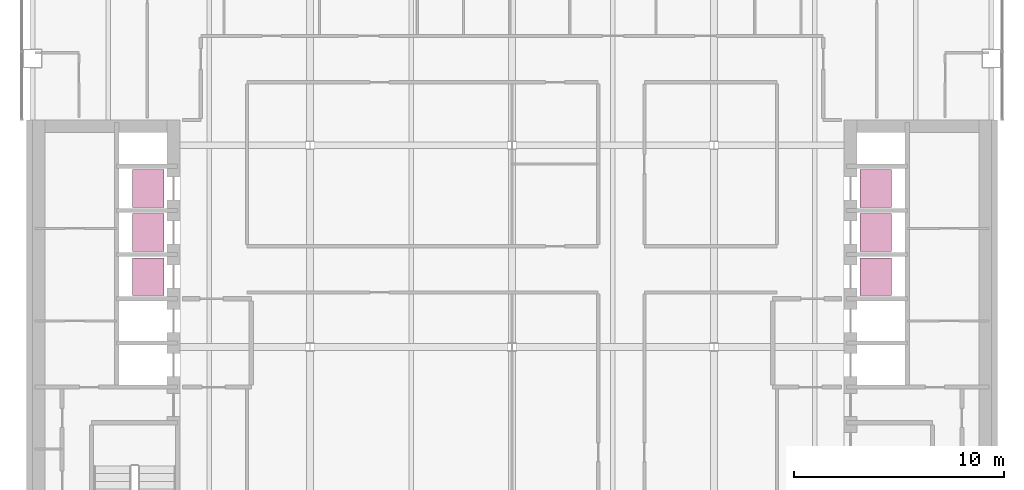
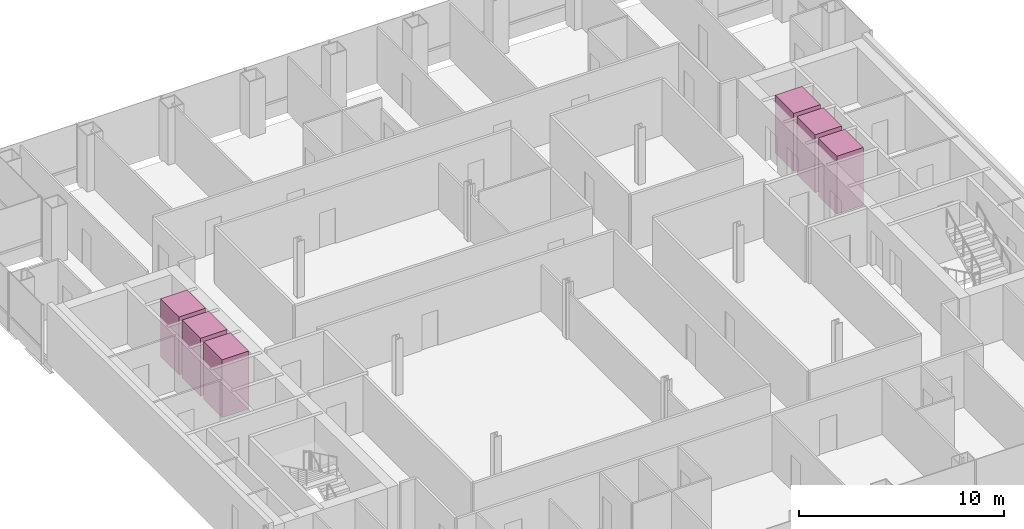
# One storey, part 16 of 16: 6 transport elements.
"""IFC4 building model written with IfcOpenShell, lengths in metres."""

from ifc_helpers import new_model, si_unit, direction, frame, origin, origin_2d, place, context, subcontext, project, spatial, rectangle, extrude, material, type_object, element, save


model = new_model("IFC4")

# Units and contexts
model_context = context("Model", 3, precision=1e-05, world=origin(), true_north=direction((0.0, 1.0)))
body_context = subcontext(model_context, "Body", "Model", "MODEL_VIEW")
ifc_project = project(units=[si_unit("LENGTHUNIT", "METRE"), si_unit("AREAUNIT", "SQUARE_METRE"), si_unit("VOLUMEUNIT", "CUBIC_METRE"), si_unit("PLANEANGLEUNIT", "RADIAN"), si_unit("MASSUNIT", "GRAM", prefix="KILO")], contexts=[model_context])

# Site, building, storey
site_placement = place(None, origin())
site = spatial("IfcSite", under=ifc_project, at=site_placement, CompositionType="ELEMENT")
building_placement = place(site_placement, origin())
building = spatial("IfcBuilding", under=site, at=building_placement, Name="Cobrizo Arcos Hotel Tower", CompositionType="ELEMENT")
storey_placement = place(building_placement, frame((0.0, 0.0, 113.5)))
storey = spatial("IfcBuildingStorey", under=building, at=storey_placement, Name="L28", CompositionType="ELEMENT", Elevation=113.5)

# Transport elements
ifc_material = material(Name="Stainless steel car", Category="steel")
transport_element_type = type_object("IfcTransportElementType", Name="Lift car Low 1.8x1.5", PredefinedType="ELEVATOR", material=ifc_material)
for number, where, z_axis, x_axis, name in (
    (1, (-17.300048828125, 3.35009765625, 0.0), (0.0, 0.0, 1.0), (1.0, 0.0, 0.0), "Low-rise passenger lift W1"),
    (2, (-17.300048828125, 5.449951171875, 0.0), (0.0, 0.0, 1.0), (1.0, 0.0, 0.0), "Low-rise passenger lift W2"),
    (3, (-17.300048828125, 7.550048828125, 0.0), (0.0, 0.0, 1.0), (1.0, 0.0, 0.0), "Low-rise passenger lift W3"),
    (4, (17.300048828125, 3.35009765625, 0.0), (0.0, 0.0, 1.0), (1.0, 0.0, 0.0), "Low-rise passenger lift E1"),
    (5, (17.300048828125, 5.449951171875, 0.0), (0.0, 0.0, 1.0), (1.0, 0.0, 0.0), "Low-rise passenger lift E2"),
    (6, (17.300048828125, 7.550048828125, 0.0), (0.0, 0.0, 1.0), (1.0, 0.0, 0.0), "Low-rise passenger lift E3"),
):
    element("IfcTransportElement", number, at=place(storey_placement, frame(where, z_axis=z_axis, x_axis=x_axis)), inside=storey, type_object=transport_element_type, Name=name, PredefinedType="ELEVATOR", context=body_context, shape_type="SweptSolid", body=[
        extrude(rectangle(XDim=1.5, YDim=1.800048828125, at=origin_2d()), origin(), (0.0, 0.0, 1.0), 3.449951171875),
    ])

save(model, "model.ifc")
